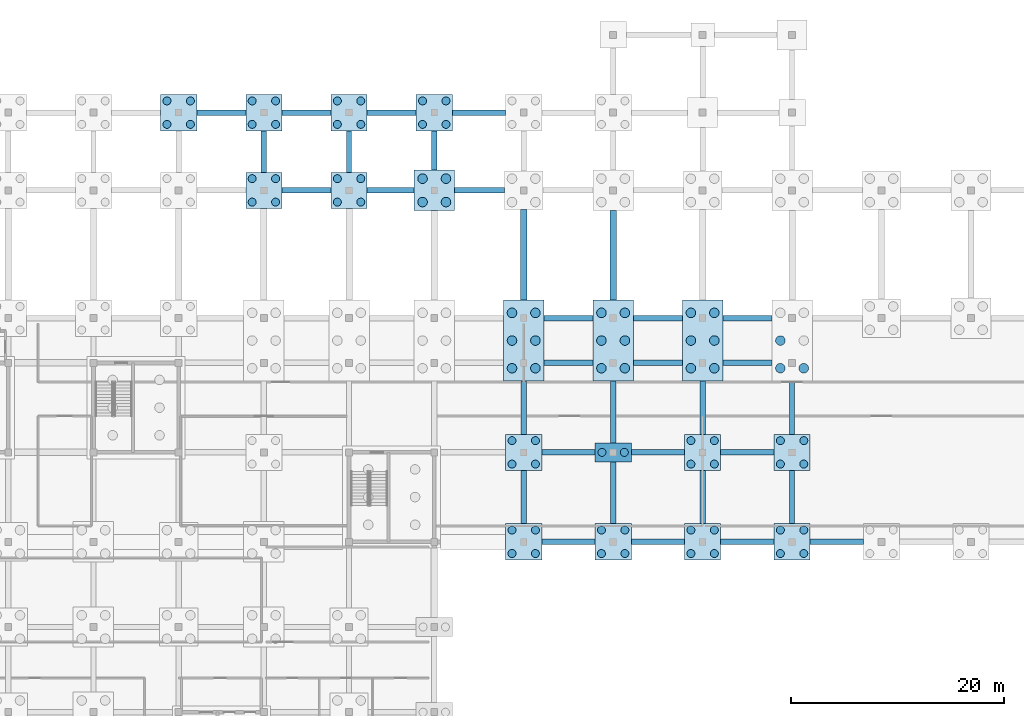
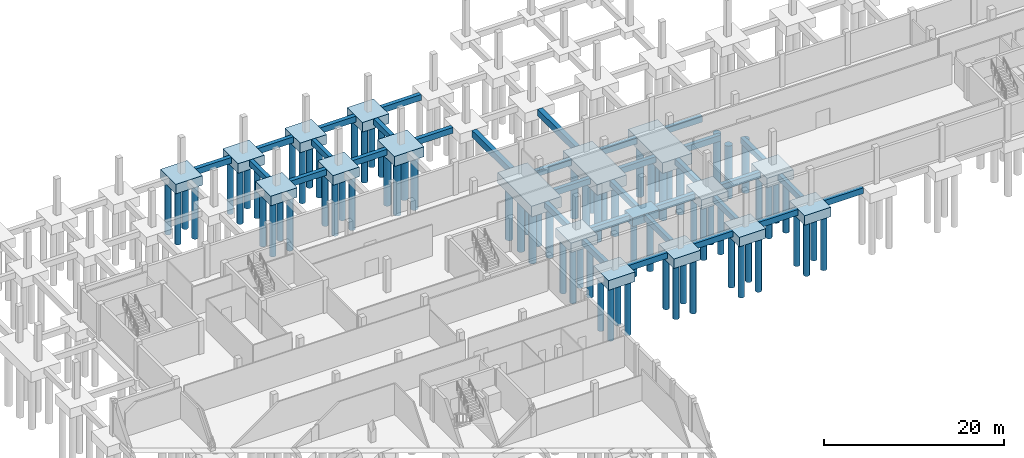
# One storey, part 6 of 22: 79 piles, 51 footings.
"""IFC4 building model written with IfcOpenShell, lengths in metres."""

from ifc_helpers import new_model, si_unit, direction, frame, origin, origin_2d, place, context, subcontext, project, spatial, polyline, rectangle, circle, outline, extrude, material, material_profile, profile_set, type_object, element, save


model = new_model("IFC4")

# Units and contexts
model_context = context("Model", 3, precision=1e-05, world=origin(), true_north=direction((0.0, 1.0)))
body_context = subcontext(model_context, "Body", "Model", "MODEL_VIEW")
ifc_project = project(units=[si_unit("LENGTHUNIT", "METRE"), si_unit("AREAUNIT", "SQUARE_METRE"), si_unit("VOLUMEUNIT", "CUBIC_METRE"), si_unit("PLANEANGLEUNIT", "RADIAN"), si_unit("MASSUNIT", "GRAM", prefix="KILO")], contexts=[model_context])

# Site, building, storey
site_placement = place(None, origin())
site = spatial("IfcSite", under=ifc_project, at=site_placement, CompositionType="ELEMENT")
building_placement = place(site_placement, origin())
building = spatial("IfcBuilding", under=site, at=building_placement, Name="Vharandega Faculty of Natural Sciences", CompositionType="ELEMENT")
storey_placement = place(building_placement, frame((0.0, 0.0, -4.5)))
storey = spatial("IfcBuildingStorey", under=building, at=storey_placement, Name="B01", CompositionType="ELEMENT", Elevation=-4.5)

# Piles
ifc_material_1 = material(Name="Concrete C35/45", Category="concrete")
ifc_material_profile_1 = material_profile(ifc_material_1, circle(Radius=0.375, at=origin_2d()), Name="PILE 750")
ifc_profile_set_1 = profile_set([ifc_material_profile_1], Name="Concrete C35/45")
pile_type_1 = type_object("IfcPileType", Name="Bored Pile 750", PredefinedType="BORED", material=ifc_profile_set_1)
for number, where, z_axis, x_axis, name in (
    (1, (30.89990234375, 103.199951171875, -1.64990234375), (0.0, 0.0, -1.0), (1.0, 0.0, 0.0), "Bored Pile PL-5P-01"),
    (2, (33.10009765625, 103.199951171875, -1.64990234375), (0.0, 0.0, -1.0), (1.0, 0.0, 0.0), "Bored Pile PL-5P-02"),
    (3, (33.10009765625, 105.39990234375, -1.64990234375), (0.0, 0.0, -1.0), (1.0, 0.0, 0.0), "Bored Pile PL-5P-03"),
    (4, (30.89990234375, 105.39990234375, -1.64990234375), (0.0, 0.0, -1.0), (1.0, 0.0, 0.0), "Bored Pile PL-5P-04"),
    (5, (38.89990234375, 95.89990234375, -1.64990234375), (0.0, 0.0, -1.0), (1.0, 0.0, 0.0), "Bored Pile PL-6N-01"),
    (6, (41.10009765625, 95.89990234375, -1.64990234375), (0.0, 0.0, -1.0), (1.0, 0.0, 0.0), "Bored Pile PL-6N-02"),
    (7, (41.10009765625, 98.10009765625, -1.64990234375), (0.0, 0.0, -1.0), (1.0, 0.0, 0.0), "Bored Pile PL-6N-03"),
    (8, (38.89990234375, 98.10009765625, -1.64990234375), (0.0, 0.0, -1.0), (1.0, 0.0, 0.0), "Bored Pile PL-6N-04"),
    (9, (38.89990234375, 103.199951171875, -1.64990234375), (0.0, 0.0, -1.0), (1.0, 0.0, 0.0), "Bored Pile PL-6P-01"),
    (10, (41.10009765625, 103.199951171875, -1.64990234375), (0.0, 0.0, -1.0), (1.0, 0.0, 0.0), "Bored Pile PL-6P-02"),
    (11, (41.10009765625, 105.39990234375, -1.64990234375), (0.0, 0.0, -1.0), (1.0, 0.0, 0.0), "Bored Pile PL-6P-03"),
    (12, (38.89990234375, 105.39990234375, -1.64990234375), (0.0, 0.0, -1.0), (1.0, 0.0, 0.0), "Bored Pile PL-6P-04"),
    (13, (46.89990234375, 95.89990234375, -1.64990234375), (0.0, 0.0, -1.0), (1.0, 0.0, 0.0), "Bored Pile PL-7N-01"),
    (14, (49.10009765625, 95.89990234375, -1.64990234375), (0.0, 0.0, -1.0), (1.0, 0.0, 0.0), "Bored Pile PL-7N-02"),
    (15, (49.10009765625, 98.10009765625, -1.64990234375), (0.0, 0.0, -1.0), (1.0, 0.0, 0.0), "Bored Pile PL-7N-03"),
    (16, (46.89990234375, 98.10009765625, -1.64990234375), (0.0, 0.0, -1.0), (1.0, 0.0, 0.0), "Bored Pile PL-7N-04"),
    (17, (46.89990234375, 103.199951171875, -1.64990234375), (0.0, 0.0, -1.0), (1.0, 0.0, 0.0), "Bored Pile PL-7P-01"),
    (18, (49.10009765625, 103.199951171875, -1.64990234375), (0.0, 0.0, -1.0), (1.0, 0.0, 0.0), "Bored Pile PL-7P-02"),
    (19, (49.10009765625, 105.39990234375, -1.64990234375), (0.0, 0.0, -1.0), (1.0, 0.0, 0.0), "Bored Pile PL-7P-03"),
    (20, (46.89990234375, 105.39990234375, -1.64990234375), (0.0, 0.0, -1.0), (1.0, 0.0, 0.0), "Bored Pile PL-7P-04"),
    (21, (54.89990234375, 103.199951171875, -1.64990234375), (0.0, 0.0, -1.0), (1.0, 0.0, 0.0), "Bored Pile PL-8P-01"),
    (22, (57.10009765625, 103.199951171875, -1.64990234375), (0.0, 0.0, -1.0), (1.0, 0.0, 0.0), "Bored Pile PL-8P-02"),
    (23, (57.10009765625, 105.39990234375, -1.64990234375), (0.0, 0.0, -1.0), (1.0, 0.0, 0.0), "Bored Pile PL-8P-03"),
    (24, (54.89990234375, 105.39990234375, -1.64990234375), (0.0, 0.0, -1.0), (1.0, 0.0, 0.0), "Bored Pile PL-8P-04"),
    (25, (63.300048828125, 62.89990234375, -1.64990234375), (0.0, 0.0, -1.0), (1.0, 0.0, 0.0), "Bored Pile PL-9J-01"),
    (26, (65.5, 62.89990234375, -1.64990234375), (0.0, 0.0, -1.0), (1.0, 0.0, 0.0), "Bored Pile PL-9J-02"),
    (27, (65.5, 65.10009765625, -1.64990234375), (0.0, 0.0, -1.0), (1.0, 0.0, 0.0), "Bored Pile PL-9J-03"),
    (28, (63.300048828125, 65.10009765625, -1.64990234375), (0.0, 0.0, -1.0), (1.0, 0.0, 0.0), "Bored Pile PL-9J-04"),
    (29, (63.300048828125, 71.300048828125, -1.64990234375), (0.0, 0.0, -1.0), (1.0, 0.0, 0.0), "Bored Pile PL-9K-01"),
    (30, (65.5, 71.300048828125, -1.64990234375), (0.0, 0.0, -1.0), (1.0, 0.0, 0.0), "Bored Pile PL-9K-02"),
    (31, (65.5, 73.5, -1.64990234375), (0.0, 0.0, -1.0), (1.0, 0.0, 0.0), "Bored Pile PL-9K-03"),
    (32, (63.300048828125, 73.5, -1.64990234375), (0.0, 0.0, -1.0), (1.0, 0.0, 0.0), "Bored Pile PL-9K-04"),
    (33, (71.699951171875, 62.89990234375, -1.64990234375), (0.0, 0.0, -1.0), (1.0, 0.0, 0.0), "Bored Pile PL-10J-01"),
    (34, (73.89990234375, 62.89990234375, -1.64990234375), (0.0, 0.0, -1.0), (1.0, 0.0, 0.0), "Bored Pile PL-10J-02"),
    (35, (73.89990234375, 65.10009765625, -1.64990234375), (0.0, 0.0, -1.0), (1.0, 0.0, 0.0), "Bored Pile PL-10J-03"),
    (36, (71.699951171875, 65.10009765625, -1.64990234375), (0.0, 0.0, -1.0), (1.0, 0.0, 0.0), "Bored Pile PL-10J-04"),
):
    element("IfcPile", number, at=place(storey_placement, frame(where, z_axis=z_axis, x_axis=x_axis)), inside=storey, type_object=pile_type_1, Name=name, PredefinedType="BORED", context=body_context, shape_type="SweptSolid", body=[
        extrude(circle(Radius=0.375, at=origin_2d()), origin(), (0.0, 0.0, 1.0), 7.35009765625),
    ])
for number, where, z_axis, x_axis, name in (
    (37, (71.75, 72.39990234375, -1.550048828125), (0.0, 0.0, -1.0), (1.0, 0.0, 0.0), "Bored Pile PL-10K-01"),
    (38, (73.85009765625, 72.39990234375, -1.550048828125), (0.0, 0.0, -1.0), (1.0, 0.0, 0.0), "Bored Pile PL-10K-02"),
):
    element("IfcPile", number, at=place(storey_placement, frame(where, z_axis=z_axis, x_axis=x_axis)), inside=storey, type_object=pile_type_1, Name=name, PredefinedType="BORED", context=body_context, shape_type="SweptSolid", body=[
        extrude(circle(Radius=0.375, at=origin_2d()), origin(), (0.0, 0.0, 1.0), 7.449951171875),
    ])
for number, where, z_axis, x_axis, name in (
    (39, (80.10009765625, 62.89990234375, -1.64990234375), (0.0, 0.0, -1.0), (1.0, 0.0, 0.0), "Bored Pile PL-11J-01"),
    (40, (82.300048828125, 62.89990234375, -1.64990234375), (0.0, 0.0, -1.0), (1.0, 0.0, 0.0), "Bored Pile PL-11J-02"),
    (41, (82.300048828125, 65.10009765625, -1.64990234375), (0.0, 0.0, -1.0), (1.0, 0.0, 0.0), "Bored Pile PL-11J-03"),
    (42, (80.10009765625, 65.10009765625, -1.64990234375), (0.0, 0.0, -1.0), (1.0, 0.0, 0.0), "Bored Pile PL-11J-04"),
    (43, (80.10009765625, 71.300048828125, -1.64990234375), (0.0, 0.0, -1.0), (1.0, 0.0, 0.0), "Bored Pile PL-11K-01"),
    (44, (82.300048828125, 71.300048828125, -1.64990234375), (0.0, 0.0, -1.0), (1.0, 0.0, 0.0), "Bored Pile PL-11K-02"),
    (45, (82.300048828125, 73.5, -1.64990234375), (0.0, 0.0, -1.0), (1.0, 0.0, 0.0), "Bored Pile PL-11K-03"),
    (46, (80.10009765625, 73.5, -1.64990234375), (0.0, 0.0, -1.0), (1.0, 0.0, 0.0), "Bored Pile PL-11K-04"),
    (47, (88.5, 62.89990234375, -1.64990234375), (0.0, 0.0, -1.0), (1.0, 0.0, 0.0), "Bored Pile PL-12J-01"),
    (48, (90.699951171875, 62.89990234375, -1.64990234375), (0.0, 0.0, -1.0), (1.0, 0.0, 0.0), "Bored Pile PL-12J-02"),
    (49, (90.699951171875, 65.10009765625, -1.64990234375), (0.0, 0.0, -1.0), (1.0, 0.0, 0.0), "Bored Pile PL-12J-03"),
    (50, (88.5, 65.10009765625, -1.64990234375), (0.0, 0.0, -1.0), (1.0, 0.0, 0.0), "Bored Pile PL-12J-04"),
    (51, (88.5, 71.300048828125, -1.64990234375), (0.0, 0.0, -1.0), (1.0, 0.0, 0.0), "Bored Pile PL-12K-01"),
    (52, (90.699951171875, 71.300048828125, -1.64990234375), (0.0, 0.0, -1.0), (1.0, 0.0, 0.0), "Bored Pile PL-12K-02"),
    (53, (90.699951171875, 73.5, -1.64990234375), (0.0, 0.0, -1.0), (1.0, 0.0, 0.0), "Bored Pile PL-12K-03"),
    (54, (88.5, 73.5, -1.64990234375), (0.0, 0.0, -1.0), (1.0, 0.0, 0.0), "Bored Pile PL-12K-04"),
):
    element("IfcPile", number, at=place(storey_placement, frame(where, z_axis=z_axis, x_axis=x_axis)), inside=storey, type_object=pile_type_1, Name=name, PredefinedType="BORED", context=body_context, shape_type="SweptSolid", body=[
        extrude(circle(Radius=0.375, at=origin_2d()), origin(), (0.0, 0.0, 1.0), 7.35009765625),
    ])
ifc_material_2 = material(Name="Concrete C35/45", Category="concrete")
ifc_material_profile_2 = material_profile(ifc_material_2, circle(Radius=0.449951171875, at=origin_2d()), Name="PILE 900")
ifc_profile_set_2 = profile_set([ifc_material_profile_2], Name="Concrete C35/45")
pile_type_2 = type_object("IfcPileType", Name="Bored Pile 900", PredefinedType="BORED", material=ifc_profile_set_2)
for number, where, z_axis, x_axis, name in (
    (55, (63.300048828125, 80.300048828125, -1.800048828125), (0.0, 0.0, -1.0), (1.0, 0.0, 0.0), "Bored Pile PL-9LM-01"),
    (56, (63.300048828125, 82.89990234375, -1.800048828125), (0.0, 0.0, -1.0), (1.0, 0.0, 0.0), "Bored Pile PL-9LM-02"),
    (57, (63.300048828125, 85.5, -1.800048828125), (0.0, 0.0, -1.0), (1.0, 0.0, 0.0), "Bored Pile PL-9LM-03"),
    (58, (65.5, 80.300048828125, -1.800048828125), (0.0, 0.0, -1.0), (1.0, 0.0, 0.0), "Bored Pile PL-9LM-04"),
    (59, (65.5, 82.89990234375, -1.800048828125), (0.0, 0.0, -1.0), (1.0, 0.0, 0.0), "Bored Pile PL-9LM-05"),
    (60, (65.5, 85.5, -1.800048828125), (0.0, 0.0, -1.0), (1.0, 0.0, 0.0), "Bored Pile PL-9LM-06"),
    (61, (71.699951171875, 80.300048828125, -1.800048828125), (0.0, 0.0, -1.0), (1.0, 0.0, 0.0), "Bored Pile PL-10LM-01"),
    (62, (71.699951171875, 82.89990234375, -1.800048828125), (0.0, 0.0, -1.0), (1.0, 0.0, 0.0), "Bored Pile PL-10LM-02"),
    (63, (71.699951171875, 85.5, -1.800048828125), (0.0, 0.0, -1.0), (1.0, 0.0, 0.0), "Bored Pile PL-10LM-03"),
    (64, (73.89990234375, 80.300048828125, -1.800048828125), (0.0, 0.0, -1.0), (1.0, 0.0, 0.0), "Bored Pile PL-10LM-04"),
    (65, (73.89990234375, 82.89990234375, -1.800048828125), (0.0, 0.0, -1.0), (1.0, 0.0, 0.0), "Bored Pile PL-10LM-05"),
    (66, (73.89990234375, 85.5, -1.800048828125), (0.0, 0.0, -1.0), (1.0, 0.0, 0.0), "Bored Pile PL-10LM-06"),
    (67, (80.10009765625, 80.300048828125, -1.800048828125), (0.0, 0.0, -1.0), (1.0, 0.0, 0.0), "Bored Pile PL-11LM-01"),
    (68, (80.10009765625, 82.89990234375, -1.800048828125), (0.0, 0.0, -1.0), (1.0, 0.0, 0.0), "Bored Pile PL-11LM-02"),
    (69, (80.10009765625, 85.5, -1.800048828125), (0.0, 0.0, -1.0), (1.0, 0.0, 0.0), "Bored Pile PL-11LM-03"),
    (70, (82.300048828125, 80.300048828125, -1.800048828125), (0.0, 0.0, -1.0), (1.0, 0.0, 0.0), "Bored Pile PL-11LM-04"),
    (71, (82.300048828125, 82.89990234375, -1.800048828125), (0.0, 0.0, -1.0), (1.0, 0.0, 0.0), "Bored Pile PL-11LM-05"),
    (72, (82.300048828125, 85.5, -1.800048828125), (0.0, 0.0, -1.0), (1.0, 0.0, 0.0), "Bored Pile PL-11LM-06"),
    (73, (88.5, 80.300048828125, -1.800048828125), (0.0, 0.0, -1.0), (1.0, 0.0, 0.0), "Bored Pile PL-12LM-01"),
    (74, (88.5, 82.89990234375, -1.800048828125), (0.0, 0.0, -1.0), (1.0, 0.0, 0.0), "Bored Pile PL-12LM-02"),
    (75, (90.699951171875, 80.300048828125, -1.800048828125), (0.0, 0.0, -1.0), (1.0, 0.0, 0.0), "Bored Pile PL-12LM-04"),
):
    element("IfcPile", number, at=place(storey_placement, frame(where, z_axis=z_axis, x_axis=x_axis)), inside=storey, type_object=pile_type_2, Name=name, PredefinedType="BORED", context=body_context, shape_type="SweptSolid", body=[
        extrude(circle(Radius=0.449951171875, at=origin_2d()), origin(), (0.0, 0.0, 1.0), 7.199951171875),
    ])
for number, where, z_axis, x_axis, name in (
    (76, (54.89990234375, 95.89990234375, -1.699951171875), (0.0, 0.0, -1.0), (1.0, 0.0, 0.0), "Bored Pile PL-8N-01"),
    (77, (57.10009765625, 95.89990234375, -1.699951171875), (0.0, 0.0, -1.0), (1.0, 0.0, 0.0), "Bored Pile PL-8N-02"),
    (78, (57.10009765625, 98.10009765625, -1.699951171875), (0.0, 0.0, -1.0), (1.0, 0.0, 0.0), "Bored Pile PL-8N-03"),
    (79, (54.89990234375, 98.10009765625, -1.699951171875), (0.0, 0.0, -1.0), (1.0, 0.0, 0.0), "Bored Pile PL-8N-04"),
):
    element("IfcPile", number, at=place(storey_placement, frame(where, z_axis=z_axis, x_axis=x_axis)), inside=storey, type_object=pile_type_2, Name=name, PredefinedType="BORED", context=body_context, shape_type="SweptSolid", body=[
        extrude(circle(Radius=0.449951171875, at=origin_2d()), origin(), (0.0, 0.0, 1.0), 7.300048828125),
    ])

# Footings
ifc_material_3 = material(Name="Concrete C35/45", Category="concrete")
footing_type_1 = type_object("IfcFootingType", Name="Ground Tie Beam 500x800", PredefinedType="FOOTING_BEAM", material=ifc_material_3)
footing_1_placement = place(storey_placement, frame((0.0, 0.0, -1.25)))
element("IfcFooting", 80, at=footing_1_placement, inside=storey, type_object=footing_type_1, Name="Substructure Tie FND-GB-X042", PredefinedType="FOOTING_BEAM", context=body_context, shape_type="SweptSolid", body=[
    extrude(outline(polyline([(66.10009765625, 63.75), (71.10009765625, 63.75), (71.10009765625, 64.25), (66.10009765625, 64.25), (66.10009765625, 63.75)])), origin(), (0.0, 0.0, 1.0), 0.800048828125),
])
footing_2_placement = place(storey_placement, frame((0.0, 0.0, -1.25)))
element("IfcFooting", 81, at=footing_2_placement, inside=storey, type_object=footing_type_1, Name="Substructure Tie FND-GB-X043", PredefinedType="FOOTING_BEAM", context=body_context, shape_type="SweptSolid", body=[
    extrude(outline(polyline([(74.5, 63.75), (79.5, 63.75), (79.5, 64.25), (74.5, 64.25), (74.5, 63.75)])), origin(), (0.0, 0.0, 1.0), 0.800048828125),
])
footing_3_placement = place(storey_placement, frame((0.0, 0.0, -1.25)))
element("IfcFooting", 82, at=footing_3_placement, inside=storey, type_object=footing_type_1, Name="Substructure Tie FND-GB-X044", PredefinedType="FOOTING_BEAM", context=body_context, shape_type="SweptSolid", body=[
    extrude(outline(polyline([(82.89990234375, 63.75), (87.89990234375, 63.75), (87.89990234375, 64.25), (82.89990234375, 64.25), (82.89990234375, 63.75)])), origin(), (0.0, 0.0, 1.0), 0.800048828125),
])
footing_4_placement = place(storey_placement, frame((0.0, 0.0, -1.25)))
element("IfcFooting", 83, at=footing_4_placement, inside=storey, type_object=footing_type_1, Name="Substructure Tie FND-GB-X045", PredefinedType="FOOTING_BEAM", context=body_context, shape_type="SweptSolid", body=[
    extrude(outline(polyline([(91.300048828125, 63.75), (96.300048828125, 63.75), (96.300048828125, 64.25), (91.300048828125, 64.25), (91.300048828125, 63.75)])), origin(), (0.0, 0.0, 1.0), 0.800048828125),
])
footing_5_placement = place(storey_placement, frame((0.0, 0.0, -1.25)))
element("IfcFooting", 84, at=footing_5_placement, inside=storey, type_object=footing_type_1, Name="Substructure Tie FND-GB-X057", PredefinedType="FOOTING_BEAM", context=body_context, shape_type="SweptSolid", body=[
    extrude(outline(polyline([(66.10009765625, 72.14990234375), (71.10009765625, 72.14990234375), (71.10009765625, 72.64990234375), (66.10009765625, 72.64990234375), (66.10009765625, 72.14990234375)])), origin(), (0.0, 0.0, 1.0), 0.800048828125),
])
footing_6_placement = place(storey_placement, frame((0.0, 0.0, -1.25)))
element("IfcFooting", 85, at=footing_6_placement, inside=storey, type_object=footing_type_1, Name="Substructure Tie FND-GB-X058", PredefinedType="FOOTING_BEAM", context=body_context, shape_type="SweptSolid", body=[
    extrude(outline(polyline([(74.5, 72.14990234375), (79.5, 72.14990234375), (79.5, 72.64990234375), (74.5, 72.64990234375), (74.5, 72.14990234375)])), origin(), (0.0, 0.0, 1.0), 0.800048828125),
])
footing_7_placement = place(storey_placement, frame((0.0, 0.0, -1.25)))
element("IfcFooting", 86, at=footing_7_placement, inside=storey, type_object=footing_type_1, Name="Substructure Tie FND-GB-X059", PredefinedType="FOOTING_BEAM", context=body_context, shape_type="SweptSolid", body=[
    extrude(outline(polyline([(82.89990234375, 72.14990234375), (87.89990234375, 72.14990234375), (87.89990234375, 72.64990234375), (82.89990234375, 72.64990234375), (82.89990234375, 72.14990234375)])), origin(), (0.0, 0.0, 1.0), 0.800048828125),
])
footing_8_placement = place(storey_placement, frame((0.0, 0.0, -1.25)))
element("IfcFooting", 87, at=footing_8_placement, inside=storey, type_object=footing_type_1, Name="Substructure Tie FND-GB-X070", PredefinedType="FOOTING_BEAM", context=body_context, shape_type="SweptSolid", body=[
    extrude(outline(polyline([(66.300048828125, 80.550048828125), (70.89990234375, 80.550048828125), (70.89990234375, 81.050048828125), (66.300048828125, 81.050048828125), (66.300048828125, 80.550048828125)])), origin(), (0.0, 0.0, 1.0), 0.800048828125),
])
footing_9_placement = place(storey_placement, frame((0.0, 0.0, -1.25)))
element("IfcFooting", 88, at=footing_9_placement, inside=storey, type_object=footing_type_1, Name="Substructure Tie FND-GB-X071", PredefinedType="FOOTING_BEAM", context=body_context, shape_type="SweptSolid", body=[
    extrude(outline(polyline([(74.699951171875, 80.550048828125), (79.300048828125, 80.550048828125), (79.300048828125, 81.050048828125), (74.699951171875, 81.050048828125), (74.699951171875, 80.550048828125)])), origin(), (0.0, 0.0, 1.0), 0.800048828125),
])
footing_10_placement = place(storey_placement, frame((0.0, 0.0, -1.25)))
element("IfcFooting", 89, at=footing_10_placement, inside=storey, type_object=footing_type_1, Name="Substructure Tie FND-GB-X072", PredefinedType="FOOTING_BEAM", context=body_context, shape_type="SweptSolid", body=[
    extrude(outline(polyline([(83.10009765625, 80.550048828125), (87.699951171875, 80.550048828125), (87.699951171875, 81.050048828125), (83.10009765625, 81.050048828125), (83.10009765625, 80.550048828125)])), origin(), (0.0, 0.0, 1.0), 0.800048828125),
])
footing_11_placement = place(storey_placement, frame((0.0, 0.0, -1.25)))
element("IfcFooting", 90, at=footing_11_placement, inside=storey, type_object=footing_type_1, Name="Substructure Tie FND-GB-X087", PredefinedType="FOOTING_BEAM", context=body_context, shape_type="SweptSolid", body=[
    extrude(outline(polyline([(66.300048828125, 84.75), (70.89990234375, 84.75), (70.89990234375, 85.25), (66.300048828125, 85.25), (66.300048828125, 84.75)])), origin(), (0.0, 0.0, 1.0), 0.800048828125),
])
footing_12_placement = place(storey_placement, frame((0.0, 0.0, -1.25)))
element("IfcFooting", 91, at=footing_12_placement, inside=storey, type_object=footing_type_1, Name="Substructure Tie FND-GB-X088", PredefinedType="FOOTING_BEAM", context=body_context, shape_type="SweptSolid", body=[
    extrude(outline(polyline([(74.699951171875, 84.75), (79.300048828125, 84.75), (79.300048828125, 85.25), (74.699951171875, 85.25), (74.699951171875, 84.75)])), origin(), (0.0, 0.0, 1.0), 0.800048828125),
])
footing_13_placement = place(storey_placement, frame((0.0, 0.0, -1.25)))
element("IfcFooting", 92, at=footing_13_placement, inside=storey, type_object=footing_type_1, Name="Substructure Tie FND-GB-X089", PredefinedType="FOOTING_BEAM", context=body_context, shape_type="SweptSolid", body=[
    extrude(outline(polyline([(83.10009765625, 84.75), (87.699951171875, 84.75), (87.699951171875, 85.25), (83.10009765625, 85.25), (83.10009765625, 84.75)])), origin(), (0.0, 0.0, 1.0), 0.800048828125),
])
footing_14_placement = place(storey_placement, frame((0.0, 0.0, -1.25)))
element("IfcFooting", 93, at=footing_14_placement, inside=storey, type_object=footing_type_1, Name="Substructure Tie FND-GB-X104", PredefinedType="FOOTING_BEAM", context=body_context, shape_type="SweptSolid", body=[
    extrude(outline(polyline([(41.699951171875, 96.75), (46.300048828125, 96.75), (46.300048828125, 97.25), (41.699951171875, 97.25), (41.699951171875, 96.75)])), origin(), (0.0, 0.0, 1.0), 0.800048828125),
])
footing_15_placement = place(storey_placement, frame((0.0, 0.0, -1.25)))
element("IfcFooting", 94, at=footing_15_placement, inside=storey, type_object=footing_type_1, Name="Substructure Tie FND-GB-X105", PredefinedType="FOOTING_BEAM", context=body_context, shape_type="SweptSolid", body=[
    extrude(outline(polyline([(49.699951171875, 96.75), (54.10009765625, 96.75), (54.10009765625, 97.25), (49.699951171875, 97.25), (49.699951171875, 96.75)])), origin(), (0.0, 0.0, 1.0), 0.800048828125),
])
footing_16_placement = place(storey_placement, frame((0.0, 0.0, -1.25)))
element("IfcFooting", 95, at=footing_16_placement, inside=storey, type_object=footing_type_1, Name="Substructure Tie FND-GB-X106", PredefinedType="FOOTING_BEAM", context=body_context, shape_type="SweptSolid", body=[
    extrude(outline(polyline([(57.89990234375, 96.75), (62.60009765625, 96.75), (62.60009765625, 97.25), (57.89990234375, 97.25), (57.89990234375, 96.75)])), origin(), (0.0, 0.0, 1.0), 0.800048828125),
])
footing_17_placement = place(storey_placement, frame((0.0, 0.0, -1.25)))
element("IfcFooting", 96, at=footing_17_placement, inside=storey, type_object=footing_type_1, Name="Substructure Tie FND-GB-X117", PredefinedType="FOOTING_BEAM", context=body_context, shape_type="SweptSolid", body=[
    extrude(outline(polyline([(33.699951171875, 104.050048828125), (38.300048828125, 104.050048828125), (38.300048828125, 104.550048828125), (33.699951171875, 104.550048828125), (33.699951171875, 104.050048828125)])), origin(), (0.0, 0.0, 1.0), 0.800048828125),
])
footing_18_placement = place(storey_placement, frame((0.0, 0.0, -1.25)))
element("IfcFooting", 97, at=footing_18_placement, inside=storey, type_object=footing_type_1, Name="Substructure Tie FND-GB-X118", PredefinedType="FOOTING_BEAM", context=body_context, shape_type="SweptSolid", body=[
    extrude(outline(polyline([(41.699951171875, 104.050048828125), (46.300048828125, 104.050048828125), (46.300048828125, 104.550048828125), (41.699951171875, 104.550048828125), (41.699951171875, 104.050048828125)])), origin(), (0.0, 0.0, 1.0), 0.800048828125),
])
footing_19_placement = place(storey_placement, frame((0.0, 0.0, -1.25)))
element("IfcFooting", 98, at=footing_19_placement, inside=storey, type_object=footing_type_1, Name="Substructure Tie FND-GB-X119", PredefinedType="FOOTING_BEAM", context=body_context, shape_type="SweptSolid", body=[
    extrude(outline(polyline([(49.699951171875, 104.050048828125), (54.300048828125, 104.050048828125), (54.300048828125, 104.550048828125), (49.699951171875, 104.550048828125), (49.699951171875, 104.050048828125)])), origin(), (0.0, 0.0, 1.0), 0.800048828125),
])
footing_20_placement = place(storey_placement, frame((0.0, 0.0, -1.25)))
element("IfcFooting", 99, at=footing_20_placement, inside=storey, type_object=footing_type_1, Name="Substructure Tie FND-GB-X120", PredefinedType="FOOTING_BEAM", context=body_context, shape_type="SweptSolid", body=[
    extrude(outline(polyline([(57.699951171875, 104.050048828125), (62.699951171875, 104.050048828125), (62.699951171875, 104.550048828125), (57.699951171875, 104.550048828125), (57.699951171875, 104.050048828125)])), origin(), (0.0, 0.0, 1.0), 0.800048828125),
])
footing_21_placement = place(storey_placement, frame((0.0, 0.0, -1.25)))
element("IfcFooting", 100, at=footing_21_placement, inside=storey, type_object=footing_type_1, Name="Substructure Tie FND-GB-Y195", PredefinedType="FOOTING_BEAM", context=body_context, shape_type="SweptSolid", body=[
    extrude(outline(polyline([(39.75, 98.699951171875), (40.25, 98.699951171875), (40.25, 102.60009765625), (39.75, 102.60009765625), (39.75, 98.699951171875)])), origin(), (0.0, 0.0, 1.0), 0.800048828125),
])
footing_22_placement = place(storey_placement, frame((0.0, 0.0, -1.25)))
element("IfcFooting", 101, at=footing_22_placement, inside=storey, type_object=footing_type_1, Name="Substructure Tie FND-GB-Y206", PredefinedType="FOOTING_BEAM", context=body_context, shape_type="SweptSolid", body=[
    extrude(outline(polyline([(47.75, 98.699951171875), (48.25, 98.699951171875), (48.25, 102.60009765625), (47.75, 102.60009765625), (47.75, 98.699951171875)])), origin(), (0.0, 0.0, 1.0), 0.800048828125),
])
footing_23_placement = place(storey_placement, frame((0.0, 0.0, -1.25)))
element("IfcFooting", 102, at=footing_23_placement, inside=storey, type_object=footing_type_1, Name="Substructure Tie FND-GB-Y217", PredefinedType="FOOTING_BEAM", context=body_context, shape_type="SweptSolid", body=[
    extrude(outline(polyline([(55.75, 98.89990234375), (56.25, 98.89990234375), (56.25, 102.60009765625), (55.75, 102.60009765625), (55.75, 98.89990234375)])), origin(), (0.0, 0.0, 1.0), 0.800048828125),
])
footing_24_placement = place(storey_placement, frame((0.0, 0.0, -1.25)))
element("IfcFooting", 103, at=footing_24_placement, inside=storey, type_object=footing_type_1, Name="Substructure Tie FND-GB-Y218", PredefinedType="FOOTING_BEAM", context=body_context, shape_type="SweptSolid", body=[
    extrude(outline(polyline([(64.14990234375, 65.699951171875), (64.64990234375, 65.699951171875), (64.64990234375, 70.699951171875), (64.14990234375, 70.699951171875), (64.14990234375, 65.699951171875)])), origin(), (0.0, 0.0, 1.0), 0.800048828125),
])
footing_25_placement = place(storey_placement, frame((0.0, 0.0, -1.25)))
element("IfcFooting", 104, at=footing_25_placement, inside=storey, type_object=footing_type_1, Name="Substructure Tie FND-GB-Y219", PredefinedType="FOOTING_BEAM", context=body_context, shape_type="SweptSolid", body=[
    extrude(outline(polyline([(64.14990234375, 74.10009765625), (64.64990234375, 74.10009765625), (64.64990234375, 79.10009765625), (64.14990234375, 79.10009765625), (64.14990234375, 74.10009765625)])), origin(), (0.0, 0.0, 1.0), 0.800048828125),
])
footing_26_placement = place(storey_placement, frame((0.0, 0.0, -1.25)))
element("IfcFooting", 105, at=footing_26_placement, inside=storey, type_object=footing_type_1, Name="Substructure Tie FND-GB-Y222", PredefinedType="FOOTING_BEAM", context=body_context, shape_type="SweptSolid", body=[
    extrude(outline(polyline([(72.550048828125, 65.699951171875), (73.050048828125, 65.699951171875), (73.050048828125, 71.5), (72.550048828125, 71.5), (72.550048828125, 65.699951171875)])), origin(), (0.0, 0.0, 1.0), 0.800048828125),
])
footing_27_placement = place(storey_placement, frame((0.0, 0.0, -1.25)))
element("IfcFooting", 106, at=footing_27_placement, inside=storey, type_object=footing_type_1, Name="Substructure Tie FND-GB-Y223", PredefinedType="FOOTING_BEAM", context=body_context, shape_type="SweptSolid", body=[
    extrude(outline(polyline([(72.550048828125, 73.300048828125), (73.050048828125, 73.300048828125), (73.050048828125, 79.10009765625), (72.550048828125, 79.10009765625), (72.550048828125, 73.300048828125)])), origin(), (0.0, 0.0, 1.0), 0.800048828125),
])
footing_28_placement = place(storey_placement, frame((0.0, 0.0, -1.25)))
element("IfcFooting", 107, at=footing_28_placement, inside=storey, type_object=footing_type_1, Name="Substructure Tie FND-GB-Y227", PredefinedType="FOOTING_BEAM", context=body_context, shape_type="SweptSolid", body=[
    extrude(outline(polyline([(80.949951171875, 65.699951171875), (81.449951171875, 65.699951171875), (81.449951171875, 70.699951171875), (80.949951171875, 70.699951171875), (80.949951171875, 65.699951171875)])), origin(), (0.0, 0.0, 1.0), 0.800048828125),
])
footing_29_placement = place(storey_placement, frame((0.0, 0.0, -1.25)))
element("IfcFooting", 108, at=footing_29_placement, inside=storey, type_object=footing_type_1, Name="Substructure Tie FND-GB-Y228", PredefinedType="FOOTING_BEAM", context=body_context, shape_type="SweptSolid", body=[
    extrude(outline(polyline([(80.949951171875, 74.10009765625), (81.449951171875, 74.10009765625), (81.449951171875, 79.10009765625), (80.949951171875, 79.10009765625), (80.949951171875, 74.10009765625)])), origin(), (0.0, 0.0, 1.0), 0.800048828125),
])
footing_30_placement = place(storey_placement, frame((0.0, 0.0, -1.25)))
element("IfcFooting", 109, at=footing_30_placement, inside=storey, type_object=footing_type_1, Name="Substructure Tie FND-GB-Y232", PredefinedType="FOOTING_BEAM", context=body_context, shape_type="SweptSolid", body=[
    extrude(outline(polyline([(89.35009765625, 65.699951171875), (89.85009765625, 65.699951171875), (89.85009765625, 70.699951171875), (89.35009765625, 70.699951171875), (89.35009765625, 65.699951171875)])), origin(), (0.0, 0.0, 1.0), 0.800048828125),
])
footing_31_placement = place(storey_placement, frame((0.0, 0.0, -1.25)))
element("IfcFooting", 110, at=footing_31_placement, inside=storey, type_object=footing_type_1, Name="Substructure Tie FND-GB-Y233", PredefinedType="FOOTING_BEAM", context=body_context, shape_type="SweptSolid", body=[
    extrude(outline(polyline([(89.35009765625, 74.10009765625), (89.85009765625, 74.10009765625), (89.85009765625, 79.10009765625), (89.35009765625, 79.10009765625), (89.35009765625, 74.10009765625)])), origin(), (0.0, 0.0, 1.0), 0.800048828125),
])
ifc_material_4 = material(Name="Concrete C35/45", Category="concrete")
footing_type_2 = type_object("IfcFootingType", Name="Ground Tie Beam 600x900", PredefinedType="FOOTING_BEAM", material=ifc_material_4)
footing_32_placement = place(storey_placement, frame((0.0, 0.0, -1.35009765625)))
element("IfcFooting", 111, at=footing_32_placement, inside=storey, type_object=footing_type_2, Name="Substructure Tie FND-GB-Y220", PredefinedType="FOOTING_BEAM", context=body_context, shape_type="SweptSolid", body=[
    extrude(outline(polyline([(64.10009765625, 86.699951171875), (64.699951171875, 86.699951171875), (64.699951171875, 95.199951171875), (64.10009765625, 95.199951171875), (64.10009765625, 86.699951171875)])), origin(), (0.0, 0.0, 1.0), 0.900146484375),
])
footing_33_placement = place(storey_placement, frame((0.0, 0.0, -1.35009765625)))
element("IfcFooting", 112, at=footing_33_placement, inside=storey, type_object=footing_type_2, Name="Substructure Tie FND-GB-Y224", PredefinedType="FOOTING_BEAM", context=body_context, shape_type="SweptSolid", body=[
    extrude(outline(polyline([(72.5, 86.699951171875), (73.10009765625, 86.699951171875), (73.10009765625, 95.10009765625), (72.5, 95.10009765625), (72.5, 86.699951171875)])), origin(), (0.0, 0.0, 1.0), 0.900146484375),
])
ifc_material_5 = material(Name="Concrete C35/45", Category="concrete")
footing_type_3 = type_object("IfcFootingType", Name="Pile Cap 2P 3400x1800x1200", PredefinedType="PILE_CAP", material=ifc_material_5)
footing_34_placement = place(storey_placement, frame((72.800048828125, 72.39990234375, -1.64990234375), z_axis=(0.0, 0.0, 1.0), x_axis=(1.0, 0.0, 0.0)))
element("IfcFooting", 113, at=footing_34_placement, inside=storey, type_object=footing_type_3, Name="Pile Cap 10/K", PredefinedType="PILE_CAP", context=body_context, shape_type="SweptSolid", body=[
    extrude(rectangle(XDim=3.39990234375, YDim=1.800048828125, at=origin_2d()), origin(), (0.0, 0.0, 1.0), 1.199951171875),
])
ifc_material_6 = material(Name="Concrete C35/45", Category="concrete")
footing_type_4 = type_object("IfcFootingType", Name="Pile Cap 4P 3400x3400x1300", PredefinedType="PILE_CAP", material=ifc_material_6)
for number, where, z_axis, x_axis, name in (
    (114, (32.0, 104.300048828125, -1.75), (0.0, 0.0, 1.0), (1.0, 0.0, 0.0), "Pile Cap 5/P"),
    (115, (40.0, 97.0, -1.75), (0.0, 0.0, 1.0), (1.0, 0.0, 0.0), "Pile Cap 6/N"),
    (116, (40.0, 104.300048828125, -1.75), (0.0, 0.0, 1.0), (1.0, 0.0, 0.0), "Pile Cap 6/P"),
    (117, (48.0, 97.0, -1.75), (0.0, 0.0, 1.0), (1.0, 0.0, 0.0), "Pile Cap 7/N"),
    (118, (48.0, 104.300048828125, -1.75), (0.0, 0.0, 1.0), (1.0, 0.0, 0.0), "Pile Cap 7/P"),
    (119, (56.0, 104.300048828125, -1.75), (0.0, 0.0, 1.0), (1.0, 0.0, 0.0), "Pile Cap 8/P"),
    (120, (64.39990234375, 64.0, -1.75), (0.0, 0.0, 1.0), (1.0, 0.0, 0.0), "Pile Cap 9/J"),
    (121, (64.39990234375, 72.39990234375, -1.75), (0.0, 0.0, 1.0), (1.0, 0.0, 0.0), "Pile Cap 9/K"),
    (122, (72.800048828125, 64.0, -1.75), (0.0, 0.0, 1.0), (1.0, 0.0, 0.0), "Pile Cap 10/J"),
    (123, (81.199951171875, 64.0, -1.75), (0.0, 0.0, 1.0), (1.0, 0.0, 0.0), "Pile Cap 11/J"),
    (124, (81.199951171875, 72.39990234375, -1.75), (0.0, 0.0, 1.0), (1.0, 0.0, 0.0), "Pile Cap 11/K"),
    (125, (89.60009765625, 64.0, -1.75), (0.0, 0.0, 1.0), (1.0, 0.0, 0.0), "Pile Cap 12/J"),
    (126, (89.60009765625, 72.39990234375, -1.75), (0.0, 0.0, 1.0), (1.0, 0.0, 0.0), "Pile Cap 12/K"),
):
    element("IfcFooting", number, at=place(storey_placement, frame(where, z_axis=z_axis, x_axis=x_axis)), inside=storey, type_object=footing_type_4, Name=name, PredefinedType="PILE_CAP", context=body_context, shape_type="SweptSolid", body=[
        extrude(rectangle(XDim=3.39990234375, YDim=3.39990234375, at=origin_2d()), origin(), (0.0, 0.0, 1.0), 1.300048828125),
    ])
ifc_material_7 = material(Name="Concrete C35/45", Category="concrete")
footing_type_5 = type_object("IfcFootingType", Name="Pile Cap 4P 3800x3800x1350", PredefinedType="PILE_CAP", material=ifc_material_7)
footing_35_placement = place(storey_placement, frame((56.0, 97.0, -1.800048828125), z_axis=(0.0, 0.0, 1.0), x_axis=(1.0, 0.0, 0.0)))
element("IfcFooting", 127, at=footing_35_placement, inside=storey, type_object=footing_type_5, Name="Pile Cap 8/N", PredefinedType="PILE_CAP", context=body_context, shape_type="SweptSolid", body=[
    extrude(rectangle(XDim=3.800048828125, YDim=3.800048828125, at=origin_2d()), origin(), (0.0, 0.0, 1.0), 1.35009765625),
])
ifc_material_8 = material(Name="Concrete C35/45", Category="concrete")
footing_type_6 = type_object("IfcFootingType", Name="Pile Cap 6P Combined 3800x7600x1450", PredefinedType="PILE_CAP", material=ifc_material_8)
for number, where, z_axis, x_axis, name in (
    (128, (64.39990234375, 82.89990234375, -1.89990234375), (0.0, 0.0, 1.0), (1.0, 0.0, 0.0), "Combined Pile Cap 9/L-M"),
    (129, (72.800048828125, 82.89990234375, -1.89990234375), (0.0, 0.0, 1.0), (1.0, 0.0, 0.0), "Combined Pile Cap 10/L-M"),
    (130, (81.199951171875, 82.89990234375, -1.89990234375), (0.0, 0.0, 1.0), (1.0, 0.0, 0.0), "Combined Pile Cap 11/L-M"),
):
    element("IfcFooting", number, at=place(storey_placement, frame(where, z_axis=z_axis, x_axis=x_axis)), inside=storey, type_object=footing_type_6, Name=name, PredefinedType="PILE_CAP", context=body_context, shape_type="SweptSolid", body=[
        extrude(rectangle(XDim=3.800048828125, YDim=7.60009765625, at=origin_2d()), origin(), (0.0, 0.0, 1.0), 1.449951171875),
    ])

save(model, "model.ifc")
